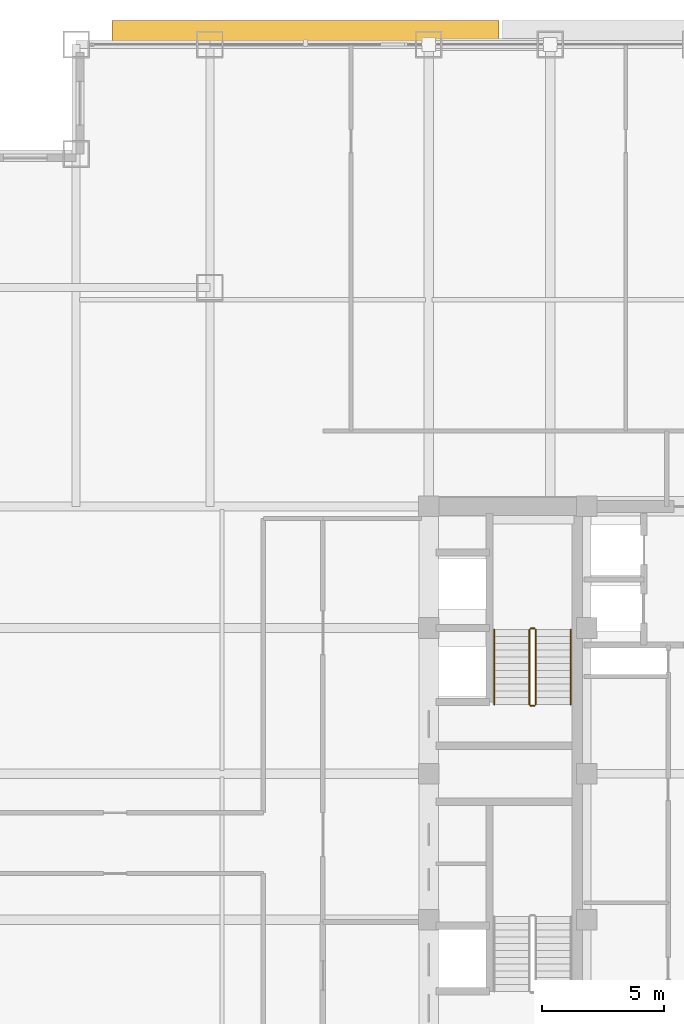
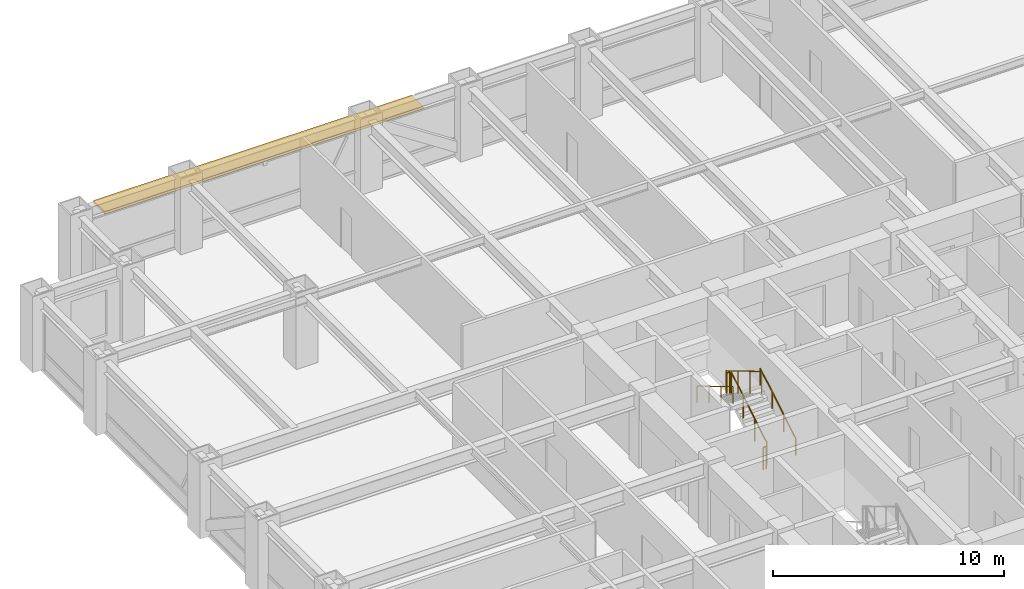
# One storey, part 27 of 28: 6 railings, 1 shading device.
"""IFC4 building model written with IfcOpenShell, lengths in metres."""

from ifc_helpers import new_model, si_unit, direction, frame, origin, origin_2d, place, context, subcontext, project, spatial, rectangle, circle, extrude, source, transform, mapped, material, layer, layer_set, type_object, element, save


model = new_model("IFC4")

# Units and contexts
model_context = context("Model", 3, precision=1e-05, world=origin(), true_north=direction((0.0, 1.0)))
body_context = subcontext(model_context, "Body", "Model", "MODEL_VIEW")
ifc_project = project(units=[si_unit("LENGTHUNIT", "METRE"), si_unit("AREAUNIT", "SQUARE_METRE"), si_unit("VOLUMEUNIT", "CUBIC_METRE"), si_unit("PLANEANGLEUNIT", "RADIAN"), si_unit("MASSUNIT", "GRAM", prefix="KILO")], contexts=[model_context])

# Site, building, storey
site_placement = place(None, origin())
site = spatial("IfcSite", under=ifc_project, at=site_placement, CompositionType="ELEMENT")
building_placement = place(site_placement, origin())
building = spatial("IfcBuilding", under=site, at=building_placement, Name="Khorayat Bourse Tower", CompositionType="ELEMENT")
storey_placement = place(building_placement, frame((0.0, 0.0, 191.10009765625)))
storey = spatial("IfcBuildingStorey", under=building, at=storey_placement, Name="L44", CompositionType="ELEMENT", Elevation=191.10009765625)

# Shading device
ifc_material_1 = material(Name="Precast concrete C45/55", Category="concrete")
ifc_layer = layer(ifc_material_1, 0.139892578125)
ifc_layer_set = layer_set([ifc_layer], Name="Precast concrete C45/55")
shading_device_type = type_object("IfcShadingDeviceType", Name="SHD-WAVE-TRAY-A", PredefinedType="USERDEFINED", material=ifc_layer_set)
shared_shape_1 = source(origin(), body_context, "Body", "SweptSolid", [
    extrude(rectangle(XDim=15.9267578125, YDim=1.00537109375, at=origin_2d()), origin(), (0.0, 0.0, 1.0), 0.139892578125),
])
shading_device_placement = place(storey_placement, frame((-16.066650390625, 30.482666015625, 3.02978515625), z_axis=(0.0, 0.0, 1.0), x_axis=(1.0, 0.0, 0.0)))
element("IfcShadingDevice", 1, at=shading_device_placement, inside=storey, type_object=shading_device_type, Name="L44 Sinusoidal Wave Sunshade Tray N-1", ObjectType="SUNSHADE", PredefinedType="USERDEFINED", context=body_context, shape_type="MappedRepresentation", body=[
    mapped(shared_shape_1, transform((0.0, 0.0, 0.0), scale=1.0)),
])

# Railings
ifc_material_2 = material(Name="Powder-coated steel balustrade", Category="steel")
railing_type_1 = type_object("IfcRailingType", Name="RLG-GUARD-1200", PredefinedType="GUARDRAIL", material=ifc_material_2)
shared_shape_2 = source(origin(), body_context, "Body", "SweptSolid", [
    extrude(circle(Radius=0.02392578125, at=origin_2d()), frame((0.0, 0.0, 1.17578125), z_axis=(-1.0, 0.0, 0.0), x_axis=(0.0, -1.0, 0.0)), (0.0, 0.0, 1.0), 0.150146484375),
    extrude(circle(Radius=0.02099609375, at=origin_2d()), origin(), (0.0, 0.0, 1.0), 1.15185546875),
    extrude(circle(Radius=0.02099609375, at=origin_2d()), frame((-0.150146484375, 0.0, 0.0)), (0.0, 0.0, 1.0), 1.15185546875),
])
for number, where, name in (
    (2, (-6.64990234375, 5.97998046875, 2.0), "L44 ST-2 stair guard 2"),
    (3, (-6.64990234375, 2.800048828125, 0.0), "L44 ST-2 stair guard 4"),
):
    element("IfcRailing", number, at=place(storey_placement, frame(where)), inside=storey, type_object=railing_type_1, Name=name, PredefinedType="GUARDRAIL", context=body_context, shape_type="MappedRepresentation", body=[
        mapped(shared_shape_2, transform((0.0, 0.0, 0.0), scale=1.0)),
    ])
shared_shape_3 = source(origin(), body_context, "Body", "SweptSolid", [
    extrude(circle(Radius=0.02392578125, at=origin_2d()), frame((0.0, 0.0, 1.17578125), z_axis=(0.0, 0.859260807169, 0.511537745687), x_axis=(-1.0, 0.0, 0.0)), (0.0, 0.0, 1.0), 3.584228515625),
    extrude(circle(Radius=0.02099609375, at=origin_2d()), origin(), (0.0, 0.0, 1.0), 1.15185546875),
    extrude(circle(Radius=0.02099609375, at=origin_2d()), frame((0.0, 1.026611328125, 0.611083984375)), (0.0, 0.0, 1.0), 1.15185546875),
    extrude(circle(Radius=0.02099609375, at=origin_2d()), frame((0.0, 2.05322265625, 1.222412109375)), (0.0, 0.0, 1.0), 1.15185546875),
    extrude(circle(Radius=0.02099609375, at=origin_2d()), frame((0.0, 3.079833984375, 1.83349609375)), (0.0, 0.0, 1.0), 1.15185546875),
])
railing_1_placement = place(storey_placement, frame((-6.60009765625, 2.85009765625, 0.16650390625)))
element("IfcRailing", 4, at=railing_1_placement, inside=storey, type_object=railing_type_1, Name="L44 ST-2 stair guard 1", PredefinedType="GUARDRAIL", context=body_context, shape_type="MappedRepresentation", body=[
    mapped(shared_shape_3, transform((0.0, 0.0, 0.0), scale=1.0)),
])
shared_shape_4 = source(origin(), body_context, "Body", "SweptSolid", [
    extrude(circle(Radius=0.02392578125, at=origin_2d()), frame((0.0, 0.0, 1.17578125), z_axis=(0.0, -0.859260807169, 0.511537745687), x_axis=(1.0, 0.0, 0.0)), (0.0, 0.0, 1.0), 3.584228515625),
    extrude(circle(Radius=0.02099609375, at=origin_2d()), origin(), (0.0, 0.0, 1.0), 1.15185546875),
    extrude(circle(Radius=0.02099609375, at=origin_2d()), frame((0.0, -1.026611328125, 0.611083984375)), (0.0, 0.0, 1.0), 1.15185546875),
    extrude(circle(Radius=0.02099609375, at=origin_2d()), frame((0.0, -2.05322265625, 1.222412109375)), (0.0, 0.0, 1.0), 1.15185546875),
    extrude(circle(Radius=0.02099609375, at=origin_2d()), frame((0.0, -3.079833984375, 1.83349609375)), (0.0, 0.0, 1.0), 1.15185546875),
])
railing_2_placement = place(storey_placement, frame((-6.85009765625, 5.929931640625, 2.16650390625)))
element("IfcRailing", 5, at=railing_2_placement, inside=storey, type_object=railing_type_1, Name="L44 ST-2 stair guard 3", PredefinedType="GUARDRAIL", context=body_context, shape_type="MappedRepresentation", body=[
    mapped(shared_shape_4, transform((0.0, 0.0, 0.0), scale=1.0)),
])
ifc_material_3 = material(Name="Brushed bronze stainless-steel handrail", Category="steel")
railing_type_2 = type_object("IfcRailingType", Name="RLG-HAND-900", PredefinedType="HANDRAIL", material=ifc_material_3)
shared_shape_5 = source(origin(), body_context, "Body", "SweptSolid", [
    extrude(circle(Radius=0.02392578125, at=origin_2d()), frame((0.0, 0.0, 0.8759765625), z_axis=(0.0, 0.859260807169, 0.511537745687), x_axis=(-1.0, 0.0, 0.0)), (0.0, 0.0, 1.0), 3.584228515625),
    extrude(circle(Radius=0.02099609375, at=origin_2d()), origin(), (0.0, 0.0, 1.0), 0.851806640625),
    extrude(circle(Radius=0.02099609375, at=origin_2d()), frame((0.0, 1.026611328125, 0.611083984375)), (0.0, 0.0, 1.0), 0.851806640625),
    extrude(circle(Radius=0.02099609375, at=origin_2d()), frame((0.0, 2.05322265625, 1.222412109375)), (0.0, 0.0, 1.0), 0.851806640625),
    extrude(circle(Radius=0.02099609375, at=origin_2d()), frame((0.0, 3.079833984375, 1.83349609375)), (0.0, 0.0, 1.0), 0.851806640625),
])
railing_3_placement = place(storey_placement, frame((-5.14990234375, 2.85009765625, 0.16650390625)))
element("IfcRailing", 6, at=railing_3_placement, inside=storey, type_object=railing_type_2, Name="L44 ST-2 stair handrail 1", PredefinedType="HANDRAIL", context=body_context, shape_type="MappedRepresentation", body=[
    mapped(shared_shape_5, transform((0.0, 0.0, 0.0), scale=1.0)),
])
shared_shape_6 = source(origin(), body_context, "Body", "SweptSolid", [
    extrude(circle(Radius=0.02392578125, at=origin_2d()), frame((0.0, 0.0, 0.8759765625), z_axis=(0.0, -0.859260807169, 0.511537745687), x_axis=(1.0, 0.0, 0.0)), (0.0, 0.0, 1.0), 3.584228515625),
    extrude(circle(Radius=0.02099609375, at=origin_2d()), origin(), (0.0, 0.0, 1.0), 0.851806640625),
    extrude(circle(Radius=0.02099609375, at=origin_2d()), frame((0.0, -1.026611328125, 0.611083984375)), (0.0, 0.0, 1.0), 0.851806640625),
    extrude(circle(Radius=0.02099609375, at=origin_2d()), frame((0.0, -2.05322265625, 1.222412109375)), (0.0, 0.0, 1.0), 0.851806640625),
    extrude(circle(Radius=0.02099609375, at=origin_2d()), frame((0.0, -3.079833984375, 1.83349609375)), (0.0, 0.0, 1.0), 0.851806640625),
])
railing_4_placement = place(storey_placement, frame((-8.300048828125, 5.929931640625, 2.16650390625)))
element("IfcRailing", 7, at=railing_4_placement, inside=storey, type_object=railing_type_2, Name="L44 ST-2 stair handrail 2", PredefinedType="HANDRAIL", context=body_context, shape_type="MappedRepresentation", body=[
    mapped(shared_shape_6, transform((0.0, 0.0, 0.0), scale=1.0)),
])

save(model, "model.ifc")
